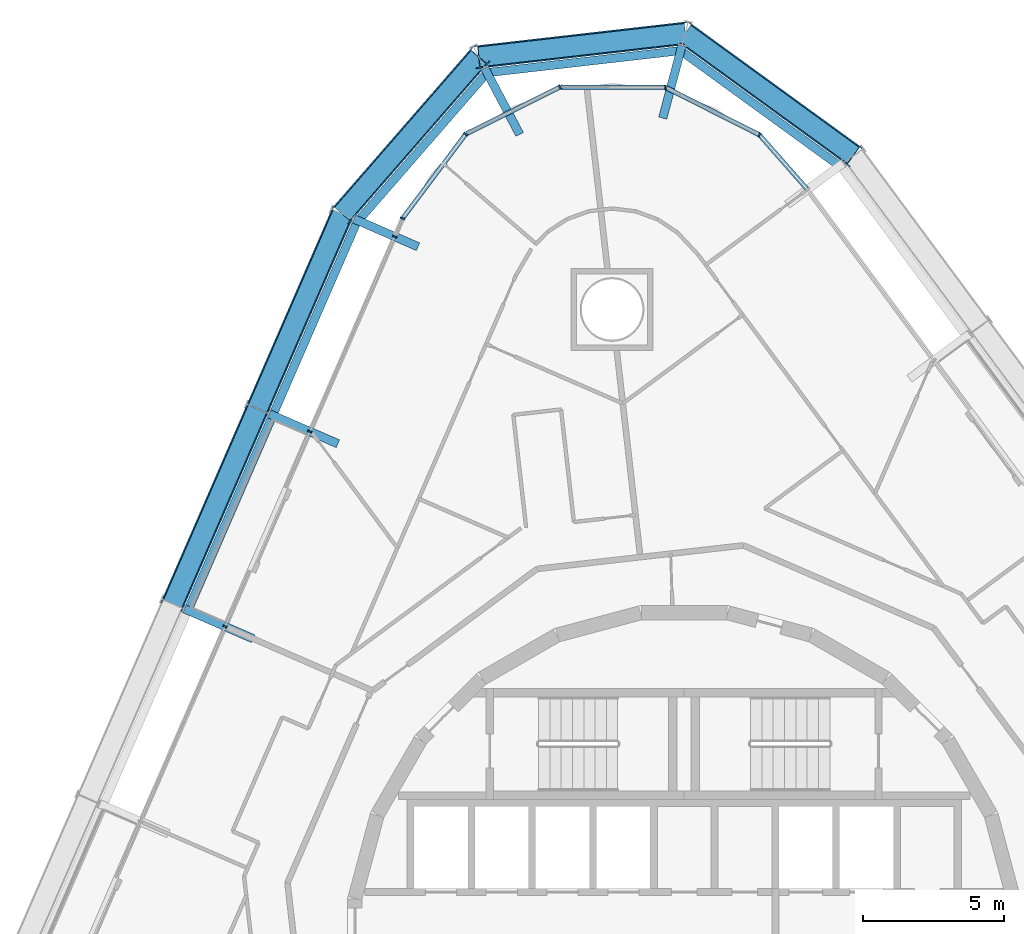
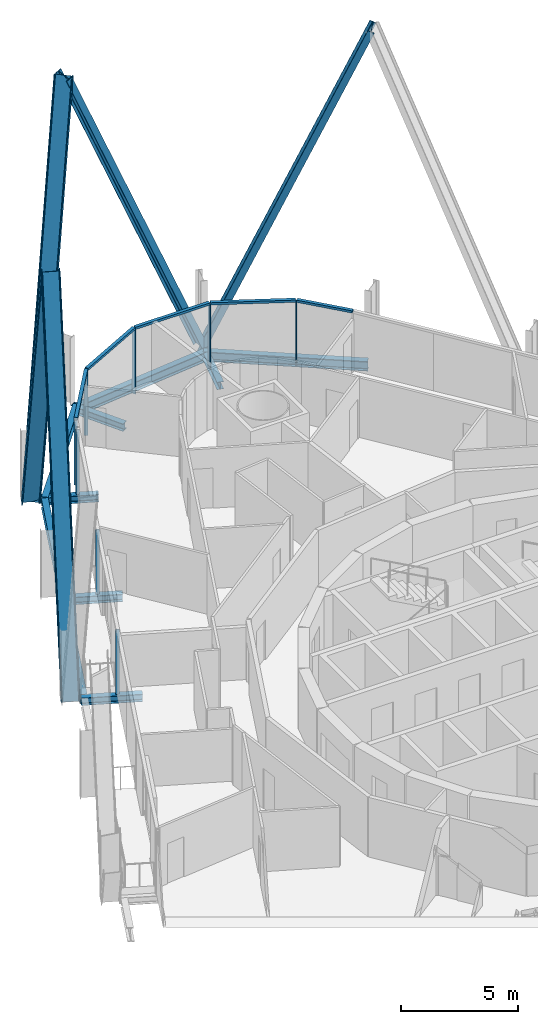
# One storey, part 9 of 23: 18 members, 10 beams, 2 elements without a shape of their own.
"""IFC4 building model written with IfcOpenShell, lengths in metres."""

from ifc_helpers import new_model, si_unit, direction, frame, origin, origin_2d, place, context, subcontext, project, spatial, rectangle, i_section, extrude, material, layer, layer_set, material_profile, profile_set, type_object, element, aggregate, save


model = new_model("IFC4")

# Units and contexts
model_context = context("Model", 3, precision=1e-05, world=origin(), true_north=direction((0.0, 1.0)))
body_context = subcontext(model_context, "Body", "Model", "MODEL_VIEW")
ifc_project = project(units=[si_unit("LENGTHUNIT", "METRE"), si_unit("AREAUNIT", "SQUARE_METRE"), si_unit("VOLUMEUNIT", "CUBIC_METRE"), si_unit("PLANEANGLEUNIT", "RADIAN"), si_unit("MASSUNIT", "GRAM", prefix="KILO")], contexts=[model_context])

# Site, building, storey
site_placement = place(None, origin())
site = spatial("IfcSite", under=ifc_project, at=site_placement, CompositionType="ELEMENT")
building_placement = place(site_placement, origin())
building = spatial("IfcBuilding", under=site, at=building_placement, Name="Spindle Arch Residences", CompositionType="ELEMENT")
storey_placement = place(building_placement, frame((0.0, 0.0, 90.699951171875)))
storey = spatial("IfcBuildingStorey", under=building, at=storey_placement, Name="L21", CompositionType="ELEMENT", Elevation=90.699951171875)

# Curtain wall, members
ifc_material_1 = material(Name="Aluminium bronze unitised frame with tinted glass", Category="aluminium")
ifc_layer_1 = layer(ifc_material_1, 0.159912109375)
ifc_layer_set_1 = layer_set([ifc_layer_1], Name="CW-D corner wall on the fillet arcs")
curtain_wall_type_1 = type_object("IfcCurtainWallType", Name="CW-D corner wall on the fillet arcs", PredefinedType="NOTDEFINED", material=ifc_layer_set_1)
curtain_wall_1_placement = place(storey_placement, origin())
curtain_wall_1 = element("IfcCurtainWall", 1, at=curtain_wall_1_placement, inside=storey, type_object=curtain_wall_type_1, Name="CW-D L21 run 3", PredefinedType="NOTDEFINED")
ifc_material_2 = material(Name="Aluminium bronze anodised mullion", Category="aluminium")
ifc_material_profile_1 = material_profile(ifc_material_2, rectangle(XDim=0.159912109375, YDim=0.06005859375, at=origin_2d()), Name="MU 60x160")
ifc_profile_set_1 = profile_set([ifc_material_profile_1], Name="Aluminium bronze anodised mullion")
member_type_1 = type_object("IfcMemberType", Name="Bronze mullion 60x160", PredefinedType="MULLION", material=ifc_profile_set_1)
member_1_placement = place(storey_placement, frame((2.662841796875, 28.544921875, -0.3798828125), z_axis=(0.0, 0.0, 1.0), x_axis=(-0.451396753797, -0.892323355439, 0.0)))
member_1 = element("IfcMember", 2, at=member_1_placement, type_object=member_type_1, Name="CW-D mullion 01", PredefinedType="MULLION", context=body_context, shape_type="SweptSolid", body=[
    extrude(rectangle(XDim=0.159912109375, YDim=0.06005859375, at=origin_2d()), origin(), (0.0, 0.0, 1.0), 3.3798828125),
])
member_2_placement = place(storey_placement, frame((-0.66259765625, 30.22705078125, -0.3798828125), z_axis=(0.0, 0.0, 1.0), x_axis=(-0.002908881551, -0.999995769195, 0.0)))
member_2 = element("IfcMember", 3, at=member_2_placement, type_object=member_type_1, Name="CW-D mullion 02", PredefinedType="MULLION", context=body_context, shape_type="SweptSolid", body=[
    extrude(rectangle(XDim=0.159912109375, YDim=0.06005859375, at=origin_2d()), origin(), (0.0, 0.0, 1.0), 3.3798828125),
])
member_3_placement = place(storey_placement, frame((-4.38916015625, 30.23779296875, -0.3798828125), z_axis=(0.0, 0.0, 1.0), x_axis=(0.446197812813, -0.89493436175, 0.0)))
member_3 = element("IfcMember", 4, at=member_3_placement, type_object=member_type_1, Name="CW-D mullion 03", PredefinedType="MULLION", context=body_context, shape_type="SweptSolid", body=[
    extrude(rectangle(XDim=0.159912109375, YDim=0.06005859375, at=origin_2d()), origin(), (0.0, 0.0, 1.0), 3.3798828125),
])
member_4_placement = place(storey_placement, frame((-7.724365234375, 28.574951171875, -0.3798828125), z_axis=(0.0, 0.0, 1.0), x_axis=(0.800382739909, -0.599489340736, 0.0)))
member_4 = element("IfcMember", 5, at=member_4_placement, type_object=member_type_1, Name="CW-D mullion 04", PredefinedType="MULLION", context=body_context, shape_type="SweptSolid", body=[
    extrude(rectangle(XDim=0.159912109375, YDim=0.06005859375, at=origin_2d()), origin(), (0.0, 0.0, 1.0), 3.3798828125),
])
member_5_placement = place(storey_placement, frame((-9.958740234375, 25.59228515625, -0.3798828125), z_axis=(0.0, 0.0, 1.0), x_axis=(0.917060074385, -0.398749068925, 0.0)))
member_5 = element("IfcMember", 6, at=member_5_placement, type_object=member_type_1, Name="CW-D mullion 05", PredefinedType="MULLION", context=body_context, shape_type="SweptSolid", body=[
    extrude(rectangle(XDim=0.159912109375, YDim=0.06005859375, at=origin_2d()), origin(), (0.0, 0.0, 1.0), 3.3798828125),
])

ifc_material_3 = material(Name="Aluminium bronze unitised frame with tinted glass", Category="aluminium")
ifc_layer_2 = layer(ifc_material_3, 0.159912109375)
ifc_layer_set_2 = layer_set([ifc_layer_2], Name="CW-C typical residential unitised wall")
curtain_wall_type_2 = type_object("IfcCurtainWallType", Name="CW-C typical residential unitised wall", PredefinedType="NOTDEFINED", material=ifc_layer_set_2)
curtain_wall_2_placement = place(storey_placement, origin())
curtain_wall_2 = element("IfcCurtainWall", 7, at=curtain_wall_2_placement, inside=storey, type_object=curtain_wall_type_2, Name="CW-C L21 run 4", PredefinedType="NOTDEFINED")
member_6_placement = place(storey_placement, frame((-10.23828125, 24.94873046875, -0.3798828125), z_axis=(0.0, 0.0, 1.0), x_axis=(0.917060074385, -0.398749068925, 0.0)))
member_6 = element("IfcMember", 8, at=member_6_placement, type_object=member_type_1, Name="CW-C mullion 13", PredefinedType="MULLION", context=body_context, shape_type="SweptSolid", body=[
    extrude(rectangle(XDim=0.159912109375, YDim=0.06005859375, at=origin_2d()), origin(), (0.0, 0.0, 1.0), 3.3798828125),
])
member_7_placement = place(storey_placement, frame((-13.236572265625, 18.0537109375, -0.3798828125), z_axis=(0.0, 0.0, 1.0), x_axis=(0.917060074385, -0.398749068925, 0.0)))
member_7 = element("IfcMember", 9, at=member_7_placement, type_object=member_type_1, Name="CW-C mullion 14", PredefinedType="MULLION", context=body_context, shape_type="SweptSolid", body=[
    extrude(rectangle(XDim=0.159912109375, YDim=0.06005859375, at=origin_2d()), origin(), (0.0, 0.0, 1.0), 3.3798828125),
])
member_8_placement = place(storey_placement, frame((-16.234619140625, 11.158447265625, -0.3798828125), z_axis=(0.0, 0.0, 1.0), x_axis=(0.917060074385, -0.398749068925, 0.0)))
member_8 = element("IfcMember", 10, at=member_8_placement, type_object=member_type_1, Name="CW-C mullion 15", PredefinedType="MULLION", context=body_context, shape_type="SweptSolid", body=[
    extrude(rectangle(XDim=0.159912109375, YDim=0.06005859375, at=origin_2d()), origin(), (0.0, 0.0, 1.0), 3.3798828125),
])
aggregate(curtain_wall_2, [member_6, member_7, member_8])

# Member
ifc_material_4 = material(Name="Aluminium bronze anodised transom", Category="aluminium")
ifc_material_profile_2 = material_profile(ifc_material_4, rectangle(XDim=0.159912109375, YDim=0.1201171875, at=origin_2d()), Name="TR 120x160")
ifc_profile_set_2 = profile_set([ifc_material_profile_2], Name="Aluminium bronze anodised transom")
member_type_2 = type_object("IfcMemberType", Name="Bronze transom 120x160", PredefinedType="USERDEFINED", material=ifc_profile_set_2)
member_9_placement = place(storey_placement, frame((4.34375, 26.635009765625, 3.06005859375), z_axis=(-0.660660732339, 0.750684618695, 0.0), x_axis=(-0.750684618695, -0.660660732339, 0.0)))
member_9 = element("IfcMember", 11, at=member_9_placement, type_object=member_type_2, Name="CW-D transom 00", ObjectType="TRANSOM", PredefinedType="USERDEFINED", context=body_context, shape_type="SweptSolid", body=[
    extrude(rectangle(XDim=0.159912109375, YDim=0.1201171875, at=origin_2d()), origin(), (0.0, 0.0, 1.0), 2.513916015625),
])

member_10_placement = place(storey_placement, frame((2.63623046875, 28.558349609375, 3.06005859375), z_axis=(-0.892313345479, 0.45141654099, 0.0), x_axis=(-0.45141654099, -0.892313345479, 0.0)))
member_10 = element("IfcMember", 12, at=member_10_placement, type_object=member_type_2, Name="CW-D transom 01", ObjectType="TRANSOM", PredefinedType="USERDEFINED", context=body_context, shape_type="SweptSolid", body=[
    extrude(rectangle(XDim=0.159912109375, YDim=0.1201171875, at=origin_2d()), origin(), (0.0, 0.0, 1.0), 3.666748046875),
])

member_11_placement = place(storey_placement, frame((-0.692626953125, 30.22705078125, 3.06005859375), z_axis=(-0.999995708684, 0.002929609906, 0.0), x_axis=(-0.002929609906, -0.999995708684, 0.0)))
member_11 = element("IfcMember", 13, at=member_11_placement, type_object=member_type_2, Name="CW-D transom 02", ObjectType="TRANSOM", PredefinedType="USERDEFINED", context=body_context, shape_type="SweptSolid", body=[
    extrude(rectangle(XDim=0.159912109375, YDim=0.1201171875, at=origin_2d()), origin(), (0.0, 0.0, 1.0), 3.666748046875),
])

member_12_placement = place(storey_placement, frame((-4.416015625, 30.224609375, 3.06005859375), z_axis=(-0.894919349856, -0.446227920745, 0.0), x_axis=(0.446227920745, -0.894919349856, 0.0)))
member_12 = element("IfcMember", 14, at=member_12_placement, type_object=member_type_2, Name="CW-D transom 03", ObjectType="TRANSOM", PredefinedType="USERDEFINED", context=body_context, shape_type="SweptSolid", body=[
    extrude(rectangle(XDim=0.159912109375, YDim=0.1201171875, at=origin_2d()), origin(), (0.0, 0.0, 1.0), 3.666748046875),
])

member_13_placement = place(storey_placement, frame((-7.742431640625, 28.551025390625, 3.06005859375), z_axis=(-0.599499190139, -0.800375362579, 0.0), x_axis=(0.800375362579, -0.599499190139, 0.0)))
member_13 = element("IfcMember", 15, at=member_13_placement, type_object=member_type_2, Name="CW-D transom 04", ObjectType="TRANSOM", PredefinedType="USERDEFINED", context=body_context, shape_type="SweptSolid", body=[
    extrude(rectangle(XDim=0.159912109375, YDim=0.1201171875, at=origin_2d()), origin(), (0.0, 0.0, 1.0), 3.666748046875),
])

aggregate(curtain_wall_1, [member_9, member_1, member_10, member_2, member_11, member_3, member_12, member_4, member_13, member_5])

# Members
ifc_material_5 = material(Name="Steel S460ML, intumescent coating R 240", Category="steel")
ifc_material_profile_3 = material_profile(ifc_material_5, i_section(OverallWidth=0.302978515625, OverallDepth=0.81396484375, WebThickness=0.02099609375, FlangeThickness=0.0400390625, FilletRadius=0.030029296875, at=origin_2d()), Name="HEM 800")
ifc_profile_set_3 = profile_set([ifc_material_profile_3], Name="Steel S460ML, intumescent coating R 240")
member_type_3 = type_object("IfcMemberType", Name="Diagrid diagonal HEM 800", PredefinedType="BRACE", material=ifc_profile_set_3)
member_14_placement = place(storey_placement, frame((0.035888671875, 32.134033203125, -0.6298828125), z_axis=(0.317027410468, -0.2301043154, 0.920079140643), x_axis=(-0.744615994707, 0.540455960716, 0.391732529864)))
element("IfcMember", 16, at=member_14_placement, inside=storey, type_object=member_type_3, Name="Diagrid diagonal 2.2.11", PredefinedType="BRACE", context=body_context, shape_type="SweptSolid", body=[
    extrude(i_section(OverallWidth=0.302978515625, OverallDepth=0.81396484375, WebThickness=0.02099609375, FlangeThickness=0.0400390625, FilletRadius=0.030029296875, at=origin_2d()), origin(), (0.0, 0.0, 1.0), 18.7734375),
])
member_15_placement = place(storey_placement, frame((0.035888671875, 32.134033203125, -0.6298828125), z_axis=(-0.388874695176, -0.044300863328, 0.920224920854), x_axis=(0.914311119032, 0.104158929407, 0.391389952655)))
element("IfcMember", 17, at=member_15_placement, inside=storey, type_object=member_type_3, Name="Diagrid diagonal 2.2.12", PredefinedType="BRACE", context=body_context, shape_type="SweptSolid", body=[
    extrude(i_section(OverallWidth=0.302978515625, OverallDepth=0.81396484375, WebThickness=0.02099609375, FlangeThickness=0.0400390625, FilletRadius=0.030029296875, at=origin_2d()), origin(), (0.0, 0.0, 1.0), 18.770263671875),
])
member_16_placement = place(storey_placement, frame((-12.0908203125, 25.75439453125, -0.6298828125), z_axis=(0.25714027766, 0.295529904912, 0.920076601652), x_axis=(-0.603945634384, -0.69411139136, 0.391738493249)))
element("IfcMember", 18, at=member_16_placement, inside=storey, type_object=member_type_3, Name="Diagrid diagonal 2.2.13", PredefinedType="BRACE", context=body_context, shape_type="SweptSolid", body=[
    extrude(i_section(OverallWidth=0.302978515625, OverallDepth=0.81396484375, WebThickness=0.02099609375, FlangeThickness=0.0400390625, FilletRadius=0.030029296875, at=origin_2d()), origin(), (0.0, 0.0, 1.0), 18.7734375),
])
member_17_placement = place(storey_placement, frame((-12.0908203125, 25.75439453125, -0.6298828125), z_axis=(-0.159144975732, -0.366020484495, 0.916897966859), x_axis=(0.365602047338, 0.840854936723, 0.399121683663)))
element("IfcMember", 19, at=member_17_placement, inside=storey, type_object=member_type_3, Name="Diagrid diagonal 2.2.14", PredefinedType="BRACE", context=body_context, shape_type="SweptSolid", body=[
    extrude(i_section(OverallWidth=0.302978515625, OverallDepth=0.81396484375, WebThickness=0.02099609375, FlangeThickness=0.0400390625, FilletRadius=0.030029296875, at=origin_2d()), origin(), (0.0, 0.0, 1.0), 18.83837890625),
])
member_18_placement = place(storey_placement, frame((-18.087158203125, 11.9638671875, -0.6298828125), z_axis=(0.15915760715, 0.36601972956, 0.916896075714), x_axis=(-0.365626331349, -0.840842315469, 0.399126028143)))
element("IfcMember", 20, at=member_18_placement, inside=storey, type_object=member_type_3, Name="Diagrid diagonal 2.2.15", PredefinedType="BRACE", context=body_context, shape_type="SweptSolid", body=[
    extrude(i_section(OverallWidth=0.302978515625, OverallDepth=0.81396484375, WebThickness=0.02099609375, FlangeThickness=0.0400390625, FilletRadius=0.030029296875, at=origin_2d()), origin(), (0.0, 0.0, 1.0), 18.838623046875),
])

# Beams
ifc_material_6 = material(Name="Steel S460ML, intumescent coating R 120", Category="steel")
ifc_material_profile_4 = material_profile(ifc_material_6, i_section(OverallWidth=0.300048828125, OverallDepth=0.5, WebThickness=0.014404296875, FlangeThickness=0.028076171875, FilletRadius=0.027099609375, at=origin_2d()), Name="HEB 500")
ifc_profile_set_4 = profile_set([ifc_material_profile_4], Name="Steel S460ML, intumescent coating R 120")
beam_type_1 = type_object("IfcBeamType", Name="Exoskeleton edge beam HEB 500", PredefinedType="BEAM", material=ifc_profile_set_4)
beam_1_placement = place(storey_placement, frame((5.552734375, 27.40478515625, -0.6298828125), z_axis=(-0.809296745618, 0.587400014923, 0.0), x_axis=(-0.587400014923, -0.809296745618, 0.0)))
element("IfcBeam", 21, at=beam_1_placement, inside=storey, type_object=beam_type_1, Name="Exoskeleton edge beam 11", PredefinedType="BEAM", context=body_context, shape_type="SweptSolid", body=[
    extrude(i_section(OverallWidth=0.300048828125, OverallDepth=0.5, WebThickness=0.014404296875, FlangeThickness=0.028076171875, FilletRadius=0.027099609375, at=origin_2d()), origin(), (0.0, 0.0, 1.0), 7.094482421875),
])
beam_2_placement = place(storey_placement, frame((-0.02685546875, 31.5361328125, -0.6298828125), z_axis=(-0.993571479585, -0.11320651463, 0.0), x_axis=(0.11320651463, -0.993571479585, 0.0)))
element("IfcBeam", 22, at=beam_2_placement, inside=storey, type_object=beam_type_1, Name="Exoskeleton edge beam 12", PredefinedType="BEAM", context=body_context, shape_type="SweptSolid", body=[
    extrude(i_section(OverallWidth=0.300048828125, OverallDepth=0.5, WebThickness=0.014404296875, FlangeThickness=0.028076171875, FilletRadius=0.027099609375, at=origin_2d()), origin(), (0.0, 0.0, 1.0), 7.086669921875),
])
beam_3_placement = place(storey_placement, frame((-6.918212890625, 30.80517578125, -0.6298828125), z_axis=(-0.656418952224, -0.754396552989, 0.0), x_axis=(0.754396552989, -0.656418952224, 0.0)))
element("IfcBeam", 23, at=beam_3_placement, inside=storey, type_object=beam_type_1, Name="Exoskeleton edge beam 13", PredefinedType="BEAM", context=body_context, shape_type="SweptSolid", body=[
    extrude(i_section(OverallWidth=0.300048828125, OverallDepth=0.5, WebThickness=0.014404296875, FlangeThickness=0.028076171875, FilletRadius=0.027099609375, at=origin_2d()), origin(), (0.0, 0.0, 1.0), 7.09423828125),
])
beam_4_placement = place(storey_placement, frame((-11.604248046875, 25.40087890625, -0.6298828125), z_axis=(-0.398772846535, -0.91704973522, 0.0), x_axis=(0.91704973522, -0.398772846535, 0.0)))
element("IfcBeam", 24, at=beam_4_placement, inside=storey, type_object=beam_type_1, Name="Exoskeleton edge beam 14", PredefinedType="BEAM", context=body_context, shape_type="SweptSolid", body=[
    extrude(i_section(OverallWidth=0.300048828125, OverallDepth=0.5, WebThickness=0.014404296875, FlangeThickness=0.028076171875, FilletRadius=0.027099609375, at=origin_2d()), origin(), (0.0, 0.0, 1.0), 7.258544921875),
])
beam_5_placement = place(storey_placement, frame((-14.602294921875, 18.505859375, -0.6298828125), z_axis=(-0.398760546857, -0.917055083553, 0.0), x_axis=(0.917055083553, -0.398760546857, 0.0)))
element("IfcBeam", 25, at=beam_5_placement, inside=storey, type_object=beam_type_1, Name="Exoskeleton edge beam 15", PredefinedType="BEAM", context=body_context, shape_type="SweptSolid", body=[
    extrude(i_section(OverallWidth=0.300048828125, OverallDepth=0.5, WebThickness=0.014404296875, FlangeThickness=0.028076171875, FilletRadius=0.027099609375, at=origin_2d()), origin(), (0.0, 0.0, 1.0), 7.2587890625),
])
ifc_material_7 = material(Name="Steel S460ML, intumescent coating R 120", Category="steel")
ifc_material_profile_5 = material_profile(ifc_material_7, i_section(OverallWidth=0.300048828125, OverallDepth=0.389892578125, WebThickness=0.010986328125, FlangeThickness=0.01904296875, FilletRadius=0.027099609375, at=origin_2d()), Name="HEA 400")
ifc_profile_set_5 = profile_set([ifc_material_profile_5], Name="Steel S460ML, intumescent coating R 120")
beam_type_2 = type_object("IfcBeamType", Name="Floor outrigger HEA 400", PredefinedType="BEAM", material=ifc_profile_set_5)
beam_6_placement = place(storey_placement, frame((-0.079345703125, 31.698974609375, -0.574951171875), z_axis=(-0.255930543214, -0.966695172767, 0.0), x_axis=(0.966695172767, -0.255930543214, 0.0)))
element("IfcBeam", 26, at=beam_6_placement, inside=storey, type_object=beam_type_2, Name="Floor outrigger 12", PredefinedType="BEAM", context=body_context, shape_type="SweptSolid", body=[
    extrude(i_section(OverallWidth=0.300048828125, OverallDepth=0.389892578125, WebThickness=0.010986328125, FlangeThickness=0.01904296875, FilletRadius=0.027099609375, at=origin_2d()), origin(), (0.0, 0.0, 1.0), 2.650146484375),
])
beam_7_placement = place(storey_placement, frame((-7.05322265625, 30.904296875, -0.574951171875), z_axis=(0.466748611055, -0.88439003504, 0.0), x_axis=(0.88439003504, 0.466748611055, 0.0)))
element("IfcBeam", 27, at=beam_7_placement, inside=storey, type_object=beam_type_2, Name="Floor outrigger 13", PredefinedType="BEAM", context=body_context, shape_type="SweptSolid", body=[
    extrude(i_section(OverallWidth=0.300048828125, OverallDepth=0.389892578125, WebThickness=0.010986328125, FlangeThickness=0.01904296875, FilletRadius=0.027099609375, at=origin_2d()), origin(), (0.0, 0.0, 1.0), 2.64990234375),
])
beam_8_placement = place(storey_placement, frame((-11.677978515625, 25.574951171875, -0.574951171875), z_axis=(0.917041778062, -0.398791144948, 0.0), x_axis=(0.398791144948, 0.917041778062, 0.0)))
element("IfcBeam", 28, at=beam_8_placement, inside=storey, type_object=beam_type_2, Name="Floor outrigger 14", PredefinedType="BEAM", context=body_context, shape_type="SweptSolid", body=[
    extrude(i_section(OverallWidth=0.300048828125, OverallDepth=0.389892578125, WebThickness=0.010986328125, FlangeThickness=0.01904296875, FilletRadius=0.027099609375, at=origin_2d()), origin(), (0.0, 0.0, 1.0), 2.470947265625),
])
for number, where, z_axis, x_axis, name in (
    (29, (-14.67626953125, 18.6796875, -0.574951171875), (0.917064197317, -0.398739586698, 0.0), (0.398739586698, 0.917064197317, 0.0), "Floor outrigger 15"),
    (30, (-17.67431640625, 11.784423828125, -0.574951171875), (0.917064197317, -0.398739586698, 0.0), (0.398739586698, 0.917064197317, 0.0), "Floor outrigger 16"),
):
    element("IfcBeam", number, at=place(storey_placement, frame(where, z_axis=z_axis, x_axis=x_axis)), inside=storey, type_object=beam_type_2, Name=name, PredefinedType="BEAM", context=body_context, shape_type="SweptSolid", body=[
        extrude(i_section(OverallWidth=0.300048828125, OverallDepth=0.389892578125, WebThickness=0.010986328125, FlangeThickness=0.01904296875, FilletRadius=0.027099609375, at=origin_2d()), origin(), (0.0, 0.0, 1.0), 2.64990234375),
    ])

save(model, "model.ifc")
